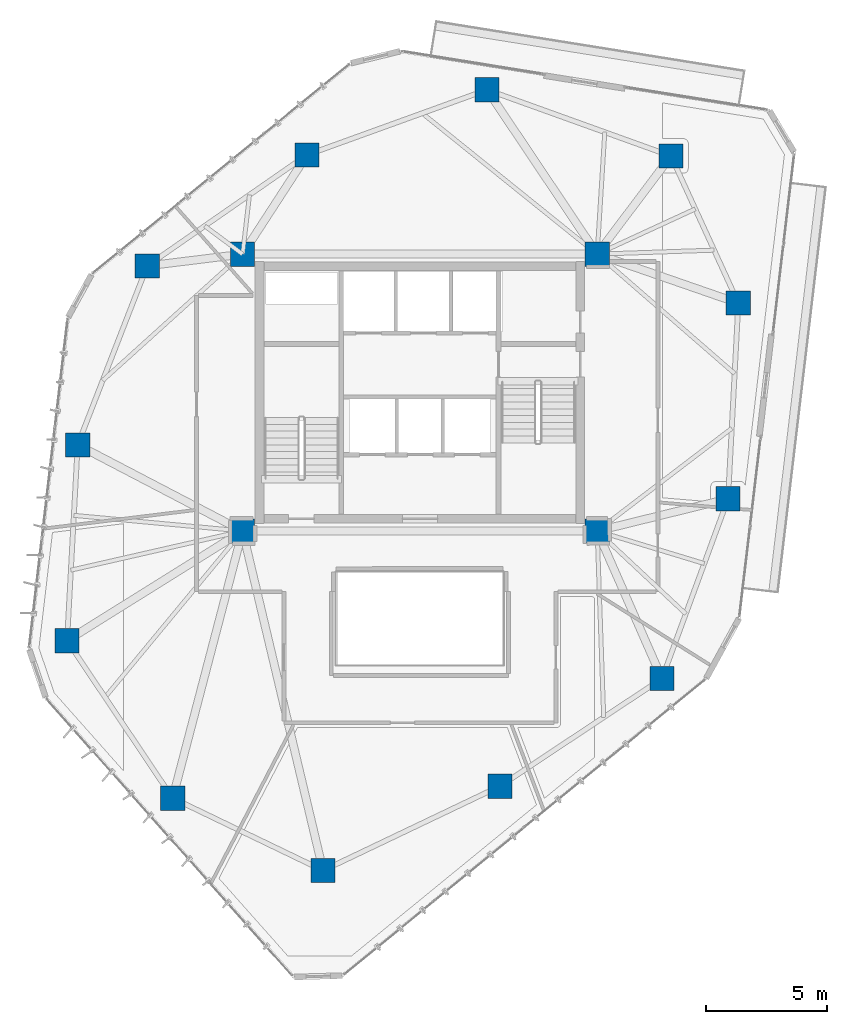
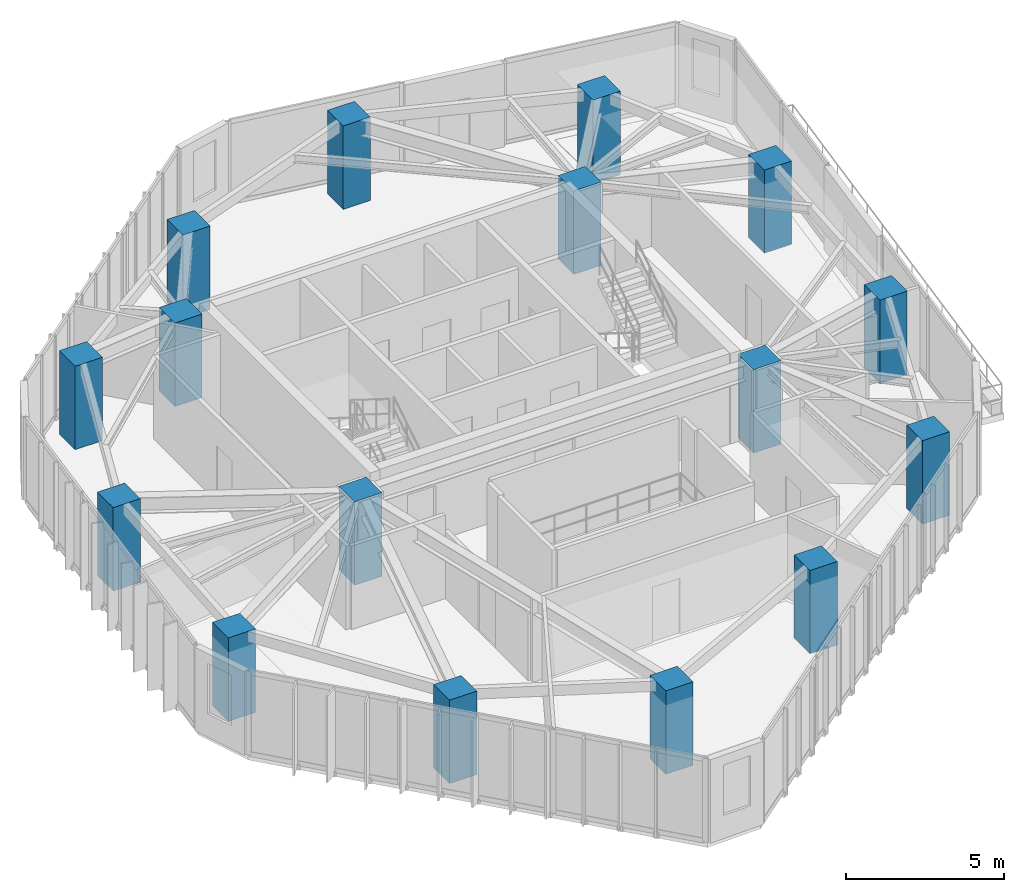
# One storey, part 1 of 22: 16 columns.
"""IFC4 building model written with IfcOpenShell, lengths in metres."""

import ifcopenshell
import ifcopenshell.guid

model = None  # the IFC model being written
_history = None  # IfcOwnerHistory: only IFC2X3 demands one
_inside = {}  # id of a spatial element -> (the spatial element, [elements in it])
_under = {}  # id of a project, library or spatial element -> (it, [spatial elements below it])
_declared = {}  # id of a project -> (the project, [libraries it declares])
_typed = {}  # id of a type object -> (the type object, [elements of that type])
_made_of = {}  # id of a material, layer set ... -> (it, [elements and type objects made of it])


def new_model(schema):
    """Start an empty IFC model of exactly this schema.

    Asked for "IFC4X3", IfcOpenShell would pick the latest addendum, in which some entities
    have other attributes; the version numbers below select the first issue.
    IFC2X3 requires an IfcOwnerHistory on every rooted entity: one is made here for all.
    """
    global model, _history
    if schema == "IFC4X3":
        model = ifcopenshell.file(schema_version=(4, 3, 0, 0))
    else:
        model = ifcopenshell.file(schema=schema)
    _inside.clear()
    _under.clear()
    _declared.clear()
    _typed.clear()
    _made_of.clear()
    _history = None
    if model.schema == "IFC2X3":
        org = make("IfcOrganization", Name="unknown")
        user = make(
            "IfcPersonAndOrganization",
            ThePerson=make("IfcPerson", FamilyName="unknown"),
            TheOrganization=org,
        )
        app = make(
            "IfcApplication",
            ApplicationDeveloper=org,
            Version="unknown",
            ApplicationFullName="unknown",
            ApplicationIdentifier="unknown",
        )
        _history = make(
            "IfcOwnerHistory",
            OwningUser=user,
            OwningApplication=app,
            ChangeAction="ADDED",
            CreationDate=0,
        )
    return model


def make(cls, **values):
    """One entity of the class cls with the attributes given. An attribute that is None is left unset."""
    return model.create_entity(
        cls, **{name: value for name, value in values.items() if value is not None}
    )


def rooted(cls, **values):
    """An entity with a GlobalId (a new one), such as an element, a storey or a relation."""
    return make(cls, GlobalId=ifcopenshell.guid.new(), OwnerHistory=_history, **values)


def si_unit(unit_type, name, prefix=None):
    """IfcSIUnit, for example si_unit("LENGTHUNIT", "METRE", prefix="MILLI")."""
    return make("IfcSIUnit", UnitType=unit_type, Prefix=prefix, Name=name)


def assignment(units):
    """IfcUnitAssignment: the units of a project."""
    return None if units is None else make("IfcUnitAssignment", Units=units)


def point(xyz):
    """IfcCartesianPoint."""
    return None if xyz is None else make("IfcCartesianPoint", Coordinates=xyz)


def direction(xyz):
    """IfcDirection."""
    return None if xyz is None else make("IfcDirection", DirectionRatios=xyz)


def frame(location, z_axis=None, x_axis=None):
    """IfcAxis2Placement3D, a coordinate frame: its origin and axes. An axis left out is left unset."""
    return make(
        "IfcAxis2Placement3D",
        Location=point(location),
        Axis=direction(z_axis),
        RefDirection=direction(x_axis),
    )


def frame_2d(location, x_axis=None):
    """IfcAxis2Placement2D, a coordinate frame in the plane: its origin and x axis."""
    return make(
        "IfcAxis2Placement2D", Location=point(location), RefDirection=direction(x_axis)
    )


def origin():
    """The frame at (0, 0, 0) with its axes left unset."""
    return frame((0.0, 0.0, 0.0))


def origin_2d():
    """The frame at (0, 0) in the plane with its x axis left unset."""
    return frame_2d((0.0, 0.0))


def place(relative_to, where):
    """IfcLocalPlacement: puts the frame where relative to a parent placement (None: the world)."""
    return make(
        "IfcLocalPlacement", PlacementRelTo=relative_to, RelativePlacement=where
    )


def context(
    kind, dimensions, precision=None, world=None, true_north=None, identifier=None
):
    """IfcGeometricRepresentationContext, for example the 3D "Model" context."""
    return make(
        "IfcGeometricRepresentationContext",
        ContextIdentifier=identifier,
        ContextType=kind,
        CoordinateSpaceDimension=dimensions,
        Precision=precision,
        WorldCoordinateSystem=world,
        TrueNorth=true_north,
    )


def subcontext(parent, identifier, kind, view, scale=None):
    """IfcGeometricRepresentationSubContext, for example "Body" below "Model"."""
    return make(
        "IfcGeometricRepresentationSubContext",
        ContextIdentifier=identifier,
        ContextType=kind,
        ParentContext=parent,
        TargetScale=scale,
        TargetView=view,
    )


def project(units=None, contexts=None):
    """IfcProject with its units and contexts."""
    return rooted(
        "IfcProject",
        Name="project",
        RepresentationContexts=contexts,
        UnitsInContext=assignment(units),
    )


def spatial(cls, under=None, at=None, **own):
    """A site, building, storey or space (cls), placed at a placement, below another one or the project."""
    s = rooted(cls, ObjectPlacement=at, **own)
    if under is not None:
        _under.setdefault(under.id(), (under, []))[1].append(s)
    return s


def profile(cls, at=None, kind="AREA", **sizes):
    """A parametric profile (cls). Its sizes go by their IFC names, for example OverallWidth=200.0."""
    return make(cls, ProfileType=kind, Position=at, **sizes)


def rectangle(**sizes):
    """IfcRectangleProfileDef."""
    return profile("IfcRectangleProfileDef", **sizes)


def extrude(swept, where, along, depth):
    """IfcExtrudedAreaSolid: the profile swept, set in the frame where, extruded along a direction by depth."""
    return make(
        "IfcExtrudedAreaSolid",
        SweptArea=swept,
        Position=where,
        ExtrudedDirection=direction(along),
        Depth=depth,
    )


def shape(context_of_items, identifier, shape_type, items):
    """IfcShapeRepresentation: the items that make up one representation, for example the "Body"."""
    return make(
        "IfcShapeRepresentation",
        ContextOfItems=context_of_items,
        RepresentationIdentifier=identifier,
        RepresentationType=shape_type,
        Items=items,
    )


def material(Name=None, Category=None):
    """IfcMaterial."""
    return make("IfcMaterial", Name=Name, Category=Category)


def material_profile(
    of_material, cross_section, Name=None, Category=None, Priority=None
):
    """IfcMaterialProfile: a cross section and its material."""
    return make(
        "IfcMaterialProfile",
        Name=Name,
        Material=of_material,
        Profile=cross_section,
        Priority=Priority,
        Category=Category,
    )


def profile_set(profiles, Name=None, composite=None):
    """IfcMaterialProfileSet."""
    return make(
        "IfcMaterialProfileSet",
        Name=Name,
        MaterialProfiles=profiles,
        CompositeProfile=composite,
    )


def made_of(thing, what):
    """Note that an element or type object is made of a material, layer set ...; save() writes the relation."""
    if what is not None:
        _made_of.setdefault(what.id(), (what, []))[1].append(thing)
    return thing


def type_object(cls, material=None, **own):
    """A type object (cls), such as IfcWallType, which elements share."""
    return made_of(rooted(cls, **own), material)


def element(
    cls,
    number,
    at=None,
    inside=None,
    cuts=None,
    type_object=None,
    material=None,
    context=None,
    identifier="Body",
    shape_type=None,
    held_by="IfcProductDefinitionShape",
    body=None,
    shapes=None,
    **own,
):
    """One element of the class cls, such as IfcWall. Its Tag is "e" and its number.

    at: its placement. inside: the storey or other place that contains it. cuts: it is an
    opening in that element (IfcRelVoidsElement). A single representation is given by context,
    identifier, shape_type and body (its items); several are given by shapes. held_by: the class
    of the entity that holds the representations. save() writes the other relations.
    """
    e = rooted(cls, Tag="e%d" % number, ObjectPlacement=at, **own)
    if body is not None:
        shapes = [shape(context, identifier, shape_type, body)]
    if shapes is not None:
        e.Representation = make(held_by, Representations=shapes)
    if inside is not None:
        _inside.setdefault(inside.id(), (inside, []))[1].append(e)
    if cuts is not None:
        rooted(
            "IfcRelVoidsElement", RelatingBuildingElement=cuts, RelatedOpeningElement=e
        )
    if type_object is not None:
        _typed.setdefault(type_object.id(), (type_object, []))[1].append(e)
    return made_of(e, material)


def aggregate(whole, parts):
    """IfcRelAggregates: a whole, such as a stair, and the parts it consists of."""
    return rooted("IfcRelAggregates", RelatingObject=whole, RelatedObjects=parts)


def save(model, path):
    """Write the relations noted so far, then the file.

    IfcRelAggregates (storeys below a building ...), IfcRelContainedInSpatialStructure (elements
    in a storey), IfcRelDefinesByType, IfcRelAssociatesMaterial and IfcRelDeclares: one each for
    every whole, place, type object, material and project.
    """
    for whole, parts in _under.values():
        aggregate(whole, parts)
    for where, things in _inside.values():
        rooted(
            "IfcRelContainedInSpatialStructure",
            RelatedElements=things,
            RelatingStructure=where,
        )
    for kind, things in _typed.values():
        rooted("IfcRelDefinesByType", RelatedObjects=things, RelatingType=kind)
    for what, things in _made_of.values():
        rooted("IfcRelAssociatesMaterial", RelatedObjects=things, RelatingMaterial=what)
    for by, libraries in _declared.values():
        rooted("IfcRelDeclares", RelatingContext=by, RelatedDefinitions=libraries)
    model.write(path)


model = new_model("IFC4")

# Units and contexts
model_context = context("Model", 3, precision=1e-05, world=origin(), true_north=direction((0.0, 1.0)))
body_context = subcontext(model_context, "Body", "Model", "MODEL_VIEW")
ifc_project = project(units=[si_unit("LENGTHUNIT", "METRE"), si_unit("AREAUNIT", "SQUARE_METRE"), si_unit("VOLUMEUNIT", "CUBIC_METRE"), si_unit("PLANEANGLEUNIT", "RADIAN"), si_unit("MASSUNIT", "GRAM", prefix="KILO")], contexts=[model_context])

# Site, building, storey
site_placement = place(None, origin())
site = spatial("IfcSite", under=ifc_project, at=site_placement, CompositionType="ELEMENT")
building_placement = place(site_placement, origin())
building = spatial("IfcBuilding", under=site, at=building_placement, Name="Talar Marvaseh", CompositionType="ELEMENT")
storey_placement = place(building_placement, frame((0.0, 0.0, 208.199951171875)))
storey = spatial("IfcBuildingStorey", under=building, at=storey_placement, Name="L54", CompositionType="ELEMENT", Elevation=208.199951171875)

# Columns
ifc_material = material(Name="Concrete C60/75", Category="concrete")
ifc_material_profile = material_profile(ifc_material, rectangle(XDim=1.0, YDim=1.0, at=origin_2d()), Name="RC1000x1000")
ifc_profile_set = profile_set([ifc_material_profile], Name="Concrete C60/75")
column_type = type_object("IfcColumnType", Name="Zone 3 Tube Column RC1000x1000", PredefinedType="COLUMN", material=ifc_profile_set)
for number, where, z_axis, x_axis, name in (
    (1, (28.76611328125, 43.66796875, 0.0), (0.0, 0.0, 1.0), (1.0, 0.0, 0.0), "L54 Zone 3 Tube Column RC1000x1000"),
    (2, (36.341064453125, 40.94189453125, 0.0), (0.0, 0.0, 1.0), (1.0, 0.0, 0.0), "L54 Zone 3 Tube Column RC1000x1000"),
    (3, (39.113037109375, 34.884033203125, 0.0), (0.0, 0.0, 1.0), (1.0, 0.0, 0.0), "L54 Zone 3 Tube Column RC1000x1000"),
    (4, (38.68896484375, 26.823974609375, 0.0), (0.0, 0.0, 1.0), (1.0, 0.0, 0.0), "L54 Zone 3 Tube Column RC1000x1000"),
    (5, (35.970947265625, 19.423095703125, 0.0), (0.0, 0.0, 1.0), (1.0, 0.0, 0.0), "L54 Zone 3 Tube Column RC1000x1000"),
    (6, (29.299072265625, 14.993896484375, 0.0), (0.0, 0.0, 1.0), (1.0, 0.0, 0.0), "L54 Zone 3 Tube Column RC1000x1000"),
    (7, (22.014892578125, 11.51904296875, 0.0), (0.0, 0.0, 1.0), (1.0, 0.0, 0.0), "L54 Zone 3 Tube Column RC1000x1000"),
    (8, (15.819091796875, 14.5009765625, 0.0), (0.0, 0.0, 1.0), (1.0, 0.0, 0.0), "L54 Zone 3 Tube Column RC1000x1000"),
    (9, (11.471923828125, 20.986083984375, 0.0), (0.0, 0.0, 1.0), (1.0, 0.0, 0.0), "L54 Zone 3 Tube Column RC1000x1000"),
    (10, (11.908935546875, 29.044921875, 0.0), (0.0, 0.0, 1.0), (1.0, 0.0, 0.0), "L54 Zone 3 Tube Column RC1000x1000"),
    (11, (14.77294921875, 36.416015625, 0.0), (0.0, 0.0, 1.0), (1.0, 0.0, 0.0), "L54 Zone 3 Tube Column RC1000x1000"),
    (12, (21.35205078125, 40.986083984375, 0.0), (0.0, 0.0, 1.0), (1.0, 0.0, 0.0), "L54 Zone 3 Tube Column RC1000x1000"),
    (13, (18.699951171875, 25.5, 0.0), (0.0, 0.0, 1.0), (1.0, 0.0, 0.0), "L54 Zone 3 Tube Column RC1000x1000"),
    (14, (33.300048828125, 25.5, 0.0), (0.0, 0.0, 1.0), (1.0, 0.0, 0.0), "L54 Zone 3 Tube Column RC1000x1000"),
    (15, (33.300048828125, 36.89990234375, 0.0), (0.0, 0.0, 1.0), (1.0, 0.0, 0.0), "L54 Zone 3 Tube Column RC1000x1000"),
    (16, (18.699951171875, 36.89990234375, 0.0), (0.0, 0.0, 1.0), (1.0, 0.0, 0.0), "L54 Zone 3 Tube Column RC1000x1000"),
):
    element("IfcColumn", number, at=place(storey_placement, frame(where, z_axis=z_axis, x_axis=x_axis)), inside=storey, type_object=column_type, Name=name, PredefinedType="COLUMN", context=body_context, shape_type="SweptSolid", body=[
        extrude(rectangle(XDim=1.0, YDim=1.0, at=origin_2d()), origin(), (0.0, 0.0, 1.0), 3.22998046875),
    ])

save(model, "model.ifc")
